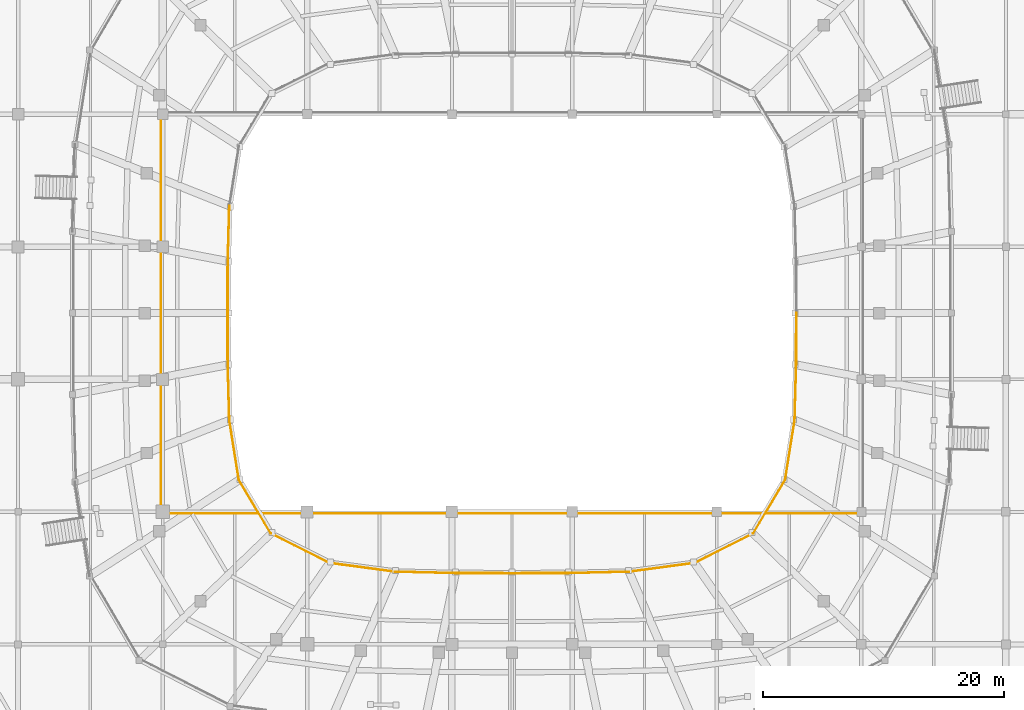
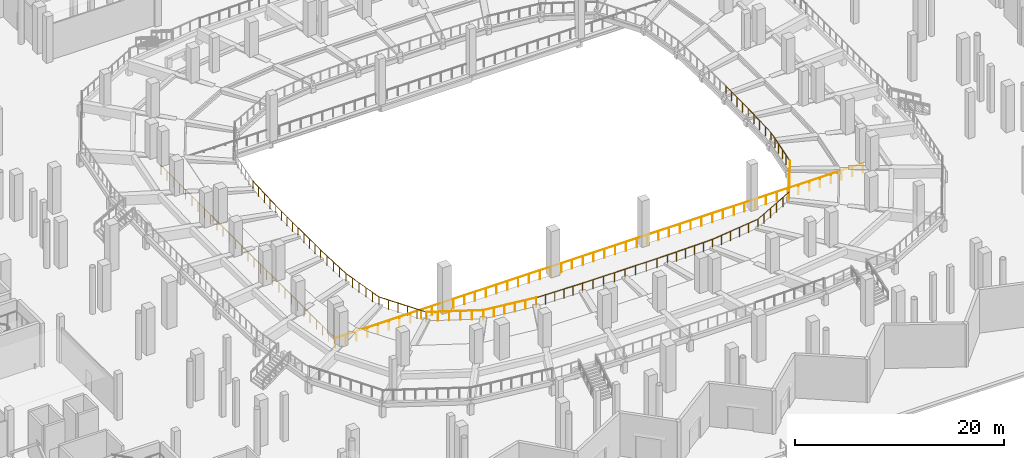
# One storey, part 102 of 120: 20 railings.
"""IFC4 building model written with IfcOpenShell, lengths in metres."""

from ifc_helpers import new_model, si_unit, direction, frame, origin, origin_2d, place, context, subcontext, project, spatial, circle, extrude, material, type_object, element, save


model = new_model("IFC4")

# Units and contexts
model_context = context("Model", 3, precision=1e-05, world=origin(), true_north=direction((0.0, 1.0)))
body_context = subcontext(model_context, "Body", "Model", "MODEL_VIEW")
ifc_project = project(units=[si_unit("LENGTHUNIT", "METRE"), si_unit("AREAUNIT", "SQUARE_METRE"), si_unit("VOLUMEUNIT", "CUBIC_METRE"), si_unit("PLANEANGLEUNIT", "RADIAN"), si_unit("MASSUNIT", "GRAM", prefix="KILO")], contexts=[model_context])

# Site, building, storey
site_placement = place(None, origin())
site = spatial("IfcSite", under=ifc_project, at=site_placement, CompositionType="ELEMENT")
building_placement = place(site_placement, origin())
building = spatial("IfcBuilding", under=site, at=building_placement, Name="Luwafu Chhajja Arena", CompositionType="ELEMENT")
storey_placement = place(building_placement, origin())
storey = spatial("IfcBuildingStorey", under=building, at=storey_placement, Name="L00", CompositionType="ELEMENT", Elevation=0.0)

# Railings
ifc_material = material(Name="Stainless steel balustrade", Category="steel")
railing_type = type_object("IfcRailingType", Name="Seating Bowl Sightline Barrier 1100", PredefinedType="BALUSTRADE", material=ifc_material)
railing_1_placement = place(storey_placement, frame((69.85009765625, 32.85009765625, 0.0)))
element("IfcRailing", 1, at=railing_1_placement, inside=storey, type_object=railing_type, Name="L00 L00 Bowl Apron Guard 0013", PredefinedType="BALUSTRADE", context=body_context, shape_type="SweptSolid", body=[
    extrude(circle(Radius=0.02392578125, at=origin_2d()), frame((0.0, 0.0, 1.09619140625), z_axis=(1.0, 0.0, 0.0), x_axis=(0.0, 1.0, 0.0)), (0.0, 0.0, 1.0), 58.2998046875),
    extrude(circle(Radius=0.02099609375, at=origin_2d()), origin(), (0.0, 0.0, 1.0), 1.072021484375),
    extrude(circle(Radius=0.02099609375, at=origin_2d()), frame((1.189697265625, 0.0, 0.0)), (0.0, 0.0, 1.0), 1.072021484375),
    extrude(circle(Radius=0.02099609375, at=origin_2d()), frame((2.379638671875, 0.0, 0.0)), (0.0, 0.0, 1.0), 1.072021484375),
    extrude(circle(Radius=0.02099609375, at=origin_2d()), frame((3.5693359375, 0.0, 0.0)), (0.0, 0.0, 1.0), 1.072021484375),
    extrude(circle(Radius=0.02099609375, at=origin_2d()), frame((4.75927734375, 0.0, 0.0)), (0.0, 0.0, 1.0), 1.072021484375),
    extrude(circle(Radius=0.02099609375, at=origin_2d()), frame((5.948974609375, 0.0, 0.0)), (0.0, 0.0, 1.0), 1.072021484375),
    extrude(circle(Radius=0.02099609375, at=origin_2d()), frame((7.138671875, 0.0, 0.0)), (0.0, 0.0, 1.0), 1.072021484375),
    extrude(circle(Radius=0.02099609375, at=origin_2d()), frame((8.32861328125, 0.0, 0.0)), (0.0, 0.0, 1.0), 1.072021484375),
    extrude(circle(Radius=0.02099609375, at=origin_2d()), frame((9.518310546875, 0.0, 0.0)), (0.0, 0.0, 1.0), 1.072021484375),
    extrude(circle(Radius=0.02099609375, at=origin_2d()), frame((10.7080078125, 0.0, 0.0)), (0.0, 0.0, 1.0), 1.072021484375),
    extrude(circle(Radius=0.02099609375, at=origin_2d()), frame((11.89794921875, 0.0, 0.0)), (0.0, 0.0, 1.0), 1.072021484375),
    extrude(circle(Radius=0.02099609375, at=origin_2d()), frame((13.087646484375, 0.0, 0.0)), (0.0, 0.0, 1.0), 1.072021484375),
    extrude(circle(Radius=0.02099609375, at=origin_2d()), frame((14.277587890625, 0.0, 0.0)), (0.0, 0.0, 1.0), 1.072021484375),
    extrude(circle(Radius=0.02099609375, at=origin_2d()), frame((15.46728515625, 0.0, 0.0)), (0.0, 0.0, 1.0), 1.072021484375),
    extrude(circle(Radius=0.02099609375, at=origin_2d()), frame((16.656982421875, 0.0, 0.0)), (0.0, 0.0, 1.0), 1.072021484375),
    extrude(circle(Radius=0.02099609375, at=origin_2d()), frame((17.846923828125, 0.0, 0.0)), (0.0, 0.0, 1.0), 1.072021484375),
    extrude(circle(Radius=0.02099609375, at=origin_2d()), frame((19.03662109375, 0.0, 0.0)), (0.0, 0.0, 1.0), 1.072021484375),
    extrude(circle(Radius=0.02099609375, at=origin_2d()), frame((20.2265625, 0.0, 0.0)), (0.0, 0.0, 1.0), 1.072021484375),
    extrude(circle(Radius=0.02099609375, at=origin_2d()), frame((21.416259765625, 0.0, 0.0)), (0.0, 0.0, 1.0), 1.072021484375),
    extrude(circle(Radius=0.02099609375, at=origin_2d()), frame((22.60595703125, 0.0, 0.0)), (0.0, 0.0, 1.0), 1.072021484375),
    extrude(circle(Radius=0.02099609375, at=origin_2d()), frame((23.7958984375, 0.0, 0.0)), (0.0, 0.0, 1.0), 1.072021484375),
    extrude(circle(Radius=0.02099609375, at=origin_2d()), frame((24.985595703125, 0.0, 0.0)), (0.0, 0.0, 1.0), 1.072021484375),
    extrude(circle(Radius=0.02099609375, at=origin_2d()), frame((26.175537109375, 0.0, 0.0)), (0.0, 0.0, 1.0), 1.072021484375),
    extrude(circle(Radius=0.02099609375, at=origin_2d()), frame((27.365234375, 0.0, 0.0)), (0.0, 0.0, 1.0), 1.072021484375),
    extrude(circle(Radius=0.02099609375, at=origin_2d()), frame((28.554931640625, 0.0, 0.0)), (0.0, 0.0, 1.0), 1.072021484375),
    extrude(circle(Radius=0.02099609375, at=origin_2d()), frame((29.744873046875, 0.0, 0.0)), (0.0, 0.0, 1.0), 1.072021484375),
    extrude(circle(Radius=0.02099609375, at=origin_2d()), frame((30.9345703125, 0.0, 0.0)), (0.0, 0.0, 1.0), 1.072021484375),
    extrude(circle(Radius=0.02099609375, at=origin_2d()), frame((32.124267578125, 0.0, 0.0)), (0.0, 0.0, 1.0), 1.072021484375),
    extrude(circle(Radius=0.02099609375, at=origin_2d()), frame((33.314208984375, 0.0, 0.0)), (0.0, 0.0, 1.0), 1.072021484375),
    extrude(circle(Radius=0.02099609375, at=origin_2d()), frame((34.50390625, 0.0, 0.0)), (0.0, 0.0, 1.0), 1.072021484375),
    extrude(circle(Radius=0.02099609375, at=origin_2d()), frame((35.69384765625, 0.0, 0.0)), (0.0, 0.0, 1.0), 1.072021484375),
    extrude(circle(Radius=0.02099609375, at=origin_2d()), frame((36.883544921875, 0.0, 0.0)), (0.0, 0.0, 1.0), 1.072021484375),
    extrude(circle(Radius=0.02099609375, at=origin_2d()), frame((38.0732421875, 0.0, 0.0)), (0.0, 0.0, 1.0), 1.072021484375),
    extrude(circle(Radius=0.02099609375, at=origin_2d()), frame((39.26318359375, 0.0, 0.0)), (0.0, 0.0, 1.0), 1.072021484375),
    extrude(circle(Radius=0.02099609375, at=origin_2d()), frame((40.452880859375, 0.0, 0.0)), (0.0, 0.0, 1.0), 1.072021484375),
    extrude(circle(Radius=0.02099609375, at=origin_2d()), frame((41.642822265625, 0.0, 0.0)), (0.0, 0.0, 1.0), 1.072021484375),
    extrude(circle(Radius=0.02099609375, at=origin_2d()), frame((42.83251953125, 0.0, 0.0)), (0.0, 0.0, 1.0), 1.072021484375),
    extrude(circle(Radius=0.02099609375, at=origin_2d()), frame((44.022216796875, 0.0, 0.0)), (0.0, 0.0, 1.0), 1.072021484375),
    extrude(circle(Radius=0.02099609375, at=origin_2d()), frame((45.212158203125, 0.0, 0.0)), (0.0, 0.0, 1.0), 1.072021484375),
    extrude(circle(Radius=0.02099609375, at=origin_2d()), frame((46.40185546875, 0.0, 0.0)), (0.0, 0.0, 1.0), 1.072021484375),
    extrude(circle(Radius=0.02099609375, at=origin_2d()), frame((47.591796875, 0.0, 0.0)), (0.0, 0.0, 1.0), 1.072021484375),
    extrude(circle(Radius=0.02099609375, at=origin_2d()), frame((48.781494140625, 0.0, 0.0)), (0.0, 0.0, 1.0), 1.072021484375),
    extrude(circle(Radius=0.02099609375, at=origin_2d()), frame((49.97119140625, 0.0, 0.0)), (0.0, 0.0, 1.0), 1.072021484375),
    extrude(circle(Radius=0.02099609375, at=origin_2d()), frame((51.1611328125, 0.0, 0.0)), (0.0, 0.0, 1.0), 1.072021484375),
    extrude(circle(Radius=0.02099609375, at=origin_2d()), frame((52.350830078125, 0.0, 0.0)), (0.0, 0.0, 1.0), 1.072021484375),
    extrude(circle(Radius=0.02099609375, at=origin_2d()), frame((53.54052734375, 0.0, 0.0)), (0.0, 0.0, 1.0), 1.072021484375),
    extrude(circle(Radius=0.02099609375, at=origin_2d()), frame((54.73046875, 0.0, 0.0)), (0.0, 0.0, 1.0), 1.072021484375),
    extrude(circle(Radius=0.02099609375, at=origin_2d()), frame((55.920166015625, 0.0, 0.0)), (0.0, 0.0, 1.0), 1.072021484375),
    extrude(circle(Radius=0.02099609375, at=origin_2d()), frame((57.110107421875, 0.0, 0.0)), (0.0, 0.0, 1.0), 1.072021484375),
    extrude(circle(Radius=0.02099609375, at=origin_2d()), frame((58.2998046875, 0.0, 0.0)), (0.0, 0.0, 1.0), 1.072021484375),
])
railing_2_placement = place(storey_placement, frame((69.85009765625, 66.14990234375, 0.0)))
element("IfcRailing", 2, at=railing_2_placement, inside=storey, type_object=railing_type, Name="L00 L00 Bowl Apron Guard 0016", PredefinedType="BALUSTRADE", context=body_context, shape_type="SweptSolid", body=[
    extrude(circle(Radius=0.02392578125, at=origin_2d()), frame((0.0, 0.0, 1.09619140625), z_axis=(0.0, -1.0, 0.0), x_axis=(1.0, 0.0, 0.0)), (0.0, 0.0, 1.0), 33.2998046875),
    extrude(circle(Radius=0.02099609375, at=origin_2d()), origin(), (0.0, 0.0, 1.0), 1.072021484375),
    extrude(circle(Radius=0.02099609375, at=origin_2d()), frame((0.0, -1.189208984375, 0.0)), (0.0, 0.0, 1.0), 1.072021484375),
    extrude(circle(Radius=0.02099609375, at=origin_2d()), frame((0.0, -2.378662109375, 0.0)), (0.0, 0.0, 1.0), 1.072021484375),
    extrude(circle(Radius=0.02099609375, at=origin_2d()), frame((0.0, -3.56787109375, 0.0)), (0.0, 0.0, 1.0), 1.072021484375),
    extrude(circle(Radius=0.02099609375, at=origin_2d()), frame((0.0, -4.757080078125, 0.0)), (0.0, 0.0, 1.0), 1.072021484375),
    extrude(circle(Radius=0.02099609375, at=origin_2d()), frame((0.0, -5.9462890625, 0.0)), (0.0, 0.0, 1.0), 1.072021484375),
    extrude(circle(Radius=0.02099609375, at=origin_2d()), frame((0.0, -7.1357421875, 0.0)), (0.0, 0.0, 1.0), 1.072021484375),
    extrude(circle(Radius=0.02099609375, at=origin_2d()), frame((0.0, -8.324951171875, 0.0)), (0.0, 0.0, 1.0), 1.072021484375),
    extrude(circle(Radius=0.02099609375, at=origin_2d()), frame((0.0, -9.51416015625, 0.0)), (0.0, 0.0, 1.0), 1.072021484375),
    extrude(circle(Radius=0.02099609375, at=origin_2d()), frame((0.0, -10.70361328125, 0.0)), (0.0, 0.0, 1.0), 1.072021484375),
    extrude(circle(Radius=0.02099609375, at=origin_2d()), frame((0.0, -11.892822265625, 0.0)), (0.0, 0.0, 1.0), 1.072021484375),
    extrude(circle(Radius=0.02099609375, at=origin_2d()), frame((0.0, -13.08203125, 0.0)), (0.0, 0.0, 1.0), 1.072021484375),
    extrude(circle(Radius=0.02099609375, at=origin_2d()), frame((0.0, -14.271240234375, 0.0)), (0.0, 0.0, 1.0), 1.072021484375),
    extrude(circle(Radius=0.02099609375, at=origin_2d()), frame((0.0, -15.460693359375, 0.0)), (0.0, 0.0, 1.0), 1.072021484375),
    extrude(circle(Radius=0.02099609375, at=origin_2d()), frame((0.0, -16.64990234375, 0.0)), (0.0, 0.0, 1.0), 1.072021484375),
    extrude(circle(Radius=0.02099609375, at=origin_2d()), frame((0.0, -17.839111328125, 0.0)), (0.0, 0.0, 1.0), 1.072021484375),
    extrude(circle(Radius=0.02099609375, at=origin_2d()), frame((0.0, -19.028564453125, 0.0)), (0.0, 0.0, 1.0), 1.072021484375),
    extrude(circle(Radius=0.02099609375, at=origin_2d()), frame((0.0, -20.2177734375, 0.0)), (0.0, 0.0, 1.0), 1.072021484375),
    extrude(circle(Radius=0.02099609375, at=origin_2d()), frame((0.0, -21.406982421875, 0.0)), (0.0, 0.0, 1.0), 1.072021484375),
    extrude(circle(Radius=0.02099609375, at=origin_2d()), frame((0.0, -22.59619140625, 0.0)), (0.0, 0.0, 1.0), 1.072021484375),
    extrude(circle(Radius=0.02099609375, at=origin_2d()), frame((0.0, -23.78564453125, 0.0)), (0.0, 0.0, 1.0), 1.072021484375),
    extrude(circle(Radius=0.02099609375, at=origin_2d()), frame((0.0, -24.974853515625, 0.0)), (0.0, 0.0, 1.0), 1.072021484375),
    extrude(circle(Radius=0.02099609375, at=origin_2d()), frame((0.0, -26.1640625, 0.0)), (0.0, 0.0, 1.0), 1.072021484375),
    extrude(circle(Radius=0.02099609375, at=origin_2d()), frame((0.0, -27.353515625, 0.0)), (0.0, 0.0, 1.0), 1.072021484375),
    extrude(circle(Radius=0.02099609375, at=origin_2d()), frame((0.0, -28.542724609375, 0.0)), (0.0, 0.0, 1.0), 1.072021484375),
    extrude(circle(Radius=0.02099609375, at=origin_2d()), frame((0.0, -29.73193359375, 0.0)), (0.0, 0.0, 1.0), 1.072021484375),
    extrude(circle(Radius=0.02099609375, at=origin_2d()), frame((0.0, -30.921142578125, 0.0)), (0.0, 0.0, 1.0), 1.072021484375),
    extrude(circle(Radius=0.02099609375, at=origin_2d()), frame((0.0, -32.110595703125, 0.0)), (0.0, 0.0, 1.0), 1.072021484375),
    extrude(circle(Radius=0.02099609375, at=origin_2d()), frame((0.0, -33.2998046875, 0.0)), (0.0, 0.0, 1.0), 1.072021484375),
])
railing_3_placement = place(storey_placement, frame((75.53662109375, 58.395263671875, 0.85009765625)))
element("IfcRailing", 3, at=railing_3_placement, inside=storey, type_object=railing_type, Name="L00 Lower Tier Front Barrier 0098", PredefinedType="BALUSTRADE", context=body_context, shape_type="SweptSolid", body=[
    extrude(circle(Radius=0.02392578125, at=origin_2d()), frame((0.0, 0.0, 1.09619140625), z_axis=(-0.028278055892, -0.999600095816, 0.0), x_axis=(0.999600095816, -0.028278055892, 0.0)), (0.0, 0.0, 1.0), 4.601806640625),
    extrude(circle(Radius=0.02099609375, at=origin_2d()), origin(), (0.0, 0.0, 1.0), 1.072021484375),
    extrude(circle(Radius=0.02099609375, at=origin_2d()), frame((-0.032470703125, -1.14990234375, 0.0)), (0.0, 0.0, 1.0), 1.072021484375),
    extrude(circle(Radius=0.02099609375, at=origin_2d()), frame((-0.06494140625, -2.2998046875, 0.0)), (0.0, 0.0, 1.0), 1.072021484375),
    extrude(circle(Radius=0.02099609375, at=origin_2d()), frame((-0.09765625, -3.449951171875, 0.0)), (0.0, 0.0, 1.0), 1.072021484375),
    extrude(circle(Radius=0.02099609375, at=origin_2d()), frame((-0.130126953125, -4.599853515625, 0.0)), (0.0, 0.0, 1.0), 1.072021484375),
])
railing_4_placement = place(storey_placement, frame((75.406494140625, 53.79541015625, 0.85009765625)))
element("IfcRailing", 4, at=railing_4_placement, inside=storey, type_object=railing_type, Name="L00 Lower Tier Front Barrier 0100", PredefinedType="BALUSTRADE", context=body_context, shape_type="SweptSolid", body=[
    extrude(circle(Radius=0.02392578125, at=origin_2d()), frame((0.0, 0.0, 1.09619140625), z_axis=(-0.001534612266, -0.999998822482, 0.0), x_axis=(0.999998822482, -0.001534612266, 0.0)), (0.0, 0.0, 1.0), 4.29541015625),
    extrude(circle(Radius=0.02099609375, at=origin_2d()), origin(), (0.0, 0.0, 1.0), 1.072021484375),
    extrude(circle(Radius=0.02099609375, at=origin_2d()), frame((-0.001708984375, -1.07373046875, 0.0)), (0.0, 0.0, 1.0), 1.072021484375),
    extrude(circle(Radius=0.02099609375, at=origin_2d()), frame((-0.00341796875, -2.147705078125, 0.0)), (0.0, 0.0, 1.0), 1.072021484375),
    extrude(circle(Radius=0.02099609375, at=origin_2d()), frame((-0.0048828125, -3.2216796875, 0.0)), (0.0, 0.0, 1.0), 1.072021484375),
    extrude(circle(Radius=0.02099609375, at=origin_2d()), frame((-0.006591796875, -4.29541015625, 0.0)), (0.0, 0.0, 1.0), 1.072021484375),
])
railing_5_placement = place(storey_placement, frame((75.39990234375, 49.5, 0.85009765625)))
element("IfcRailing", 5, at=railing_5_placement, inside=storey, type_object=railing_type, Name="L00 Lower Tier Front Barrier 0104", PredefinedType="BALUSTRADE", context=body_context, shape_type="SweptSolid", body=[
    extrude(circle(Radius=0.02392578125, at=origin_2d()), frame((0.0, 0.0, 1.09619140625), z_axis=(0.001534612266, -0.999998822482, 0.0), x_axis=(0.999998822482, 0.001534612266, 0.0)), (0.0, 0.0, 1.0), 4.29541015625),
    extrude(circle(Radius=0.02099609375, at=origin_2d()), origin(), (0.0, 0.0, 1.0), 1.072021484375),
    extrude(circle(Radius=0.02099609375, at=origin_2d()), frame((0.001708984375, -1.07373046875, 0.0)), (0.0, 0.0, 1.0), 1.072021484375),
    extrude(circle(Radius=0.02099609375, at=origin_2d()), frame((0.00341796875, -2.147705078125, 0.0)), (0.0, 0.0, 1.0), 1.072021484375),
    extrude(circle(Radius=0.02099609375, at=origin_2d()), frame((0.0048828125, -3.2216796875, 0.0)), (0.0, 0.0, 1.0), 1.072021484375),
    extrude(circle(Radius=0.02099609375, at=origin_2d()), frame((0.006591796875, -4.29541015625, 0.0)), (0.0, 0.0, 1.0), 1.072021484375),
])
railing_6_placement = place(storey_placement, frame((75.406494140625, 45.20458984375, 0.85009765625)))
element("IfcRailing", 6, at=railing_6_placement, inside=storey, type_object=railing_type, Name="L00 Lower Tier Front Barrier 0108", PredefinedType="BALUSTRADE", context=body_context, shape_type="SweptSolid", body=[
    extrude(circle(Radius=0.02392578125, at=origin_2d()), frame((0.0, 0.0, 1.09619140625), z_axis=(0.028278055892, -0.999600095816, 0.0), x_axis=(0.999600095816, 0.028278055892, 0.0)), (0.0, 0.0, 1.0), 4.601806640625),
    extrude(circle(Radius=0.02099609375, at=origin_2d()), origin(), (0.0, 0.0, 1.0), 1.072021484375),
    extrude(circle(Radius=0.02099609375, at=origin_2d()), frame((0.032470703125, -1.14990234375, 0.0)), (0.0, 0.0, 1.0), 1.072021484375),
    extrude(circle(Radius=0.02099609375, at=origin_2d()), frame((0.06494140625, -2.2998046875, 0.0)), (0.0, 0.0, 1.0), 1.072021484375),
    extrude(circle(Radius=0.02099609375, at=origin_2d()), frame((0.09765625, -3.449951171875, 0.0)), (0.0, 0.0, 1.0), 1.072021484375),
    extrude(circle(Radius=0.02099609375, at=origin_2d()), frame((0.130126953125, -4.599853515625, 0.0)), (0.0, 0.0, 1.0), 1.072021484375),
])
railing_7_placement = place(storey_placement, frame((75.53662109375, 40.604736328125, 0.85009765625)))
element("IfcRailing", 7, at=railing_7_placement, inside=storey, type_object=railing_type, Name="L00 Lower Tier Front Barrier 0112", PredefinedType="BALUSTRADE", context=body_context, shape_type="SweptSolid", body=[
    extrude(circle(Radius=0.02392578125, at=origin_2d()), frame((0.0, 0.0, 1.09619140625), z_axis=(0.157596868807, -0.987503532623, 0.0), x_axis=(0.987503532623, 0.157596868807, 0.0)), (0.0, 0.0, 1.0), 5.03173828125),
    extrude(circle(Radius=0.02099609375, at=origin_2d()), origin(), (0.0, 0.0, 1.0), 1.072021484375),
    extrude(circle(Radius=0.02099609375, at=origin_2d()), frame((0.15869140625, -0.99365234375, 0.0)), (0.0, 0.0, 1.0), 1.072021484375),
    extrude(circle(Radius=0.02099609375, at=origin_2d()), frame((0.317138671875, -1.987548828125, 0.0)), (0.0, 0.0, 1.0), 1.072021484375),
    extrude(circle(Radius=0.02099609375, at=origin_2d()), frame((0.475830078125, -2.981201171875, 0.0)), (0.0, 0.0, 1.0), 1.072021484375),
    extrude(circle(Radius=0.02099609375, at=origin_2d()), frame((0.63427734375, -3.97509765625, 0.0)), (0.0, 0.0, 1.0), 1.072021484375),
    extrude(circle(Radius=0.02099609375, at=origin_2d()), frame((0.79296875, -4.96875, 0.0)), (0.0, 0.0, 1.0), 1.072021484375),
])
railing_8_placement = place(storey_placement, frame((76.32958984375, 35.635986328125, 0.85009765625)))
element("IfcRailing", 8, at=railing_8_placement, inside=storey, type_object=railing_type, Name="L00 Lower Tier Front Barrier 0114", PredefinedType="BALUSTRADE", context=body_context, shape_type="SweptSolid", body=[
    extrude(circle(Radius=0.02392578125, at=origin_2d()), frame((0.0, 0.0, 1.09619140625), z_axis=(0.513207192102, -0.858264748183, 0.0), x_axis=(0.858264748183, 0.513207192102, 0.0)), (0.0, 0.0, 1.0), 5.184814453125),
    extrude(circle(Radius=0.02099609375, at=origin_2d()), origin(), (0.0, 0.0, 1.0), 1.072021484375),
    extrude(circle(Radius=0.02099609375, at=origin_2d()), frame((0.5322265625, -0.889892578125, 0.0)), (0.0, 0.0, 1.0), 1.072021484375),
    extrude(circle(Radius=0.02099609375, at=origin_2d()), frame((1.064453125, -1.780029296875, 0.0)), (0.0, 0.0, 1.0), 1.072021484375),
    extrude(circle(Radius=0.02099609375, at=origin_2d()), frame((1.596435546875, -2.669921875, 0.0)), (0.0, 0.0, 1.0), 1.072021484375),
    extrude(circle(Radius=0.02099609375, at=origin_2d()), frame((2.128662109375, -3.56005859375, 0.0)), (0.0, 0.0, 1.0), 1.072021484375),
    extrude(circle(Radius=0.02099609375, at=origin_2d()), frame((2.660888671875, -4.449951171875, 0.0)), (0.0, 0.0, 1.0), 1.072021484375),
])
railing_9_placement = place(storey_placement, frame((78.990478515625, 31.18603515625, 0.85009765625)))
element("IfcRailing", 9, at=railing_9_placement, inside=storey, type_object=railing_type, Name="L00 Lower Tier Front Barrier 0118", PredefinedType="BALUSTRADE", context=body_context, shape_type="SweptSolid", body=[
    extrude(circle(Radius=0.02392578125, at=origin_2d()), frame((0.0, 0.0, 1.09619140625), z_axis=(0.894121668342, -0.447824119717, 0.0), x_axis=(0.447824119717, 0.894121668342, 0.0)), (0.0, 0.0, 1.0), 5.4375),
    extrude(circle(Radius=0.02099609375, at=origin_2d()), origin(), (0.0, 0.0, 1.0), 1.072021484375),
    extrude(circle(Radius=0.02099609375, at=origin_2d()), frame((0.972412109375, -0.487060546875, 0.0)), (0.0, 0.0, 1.0), 1.072021484375),
    extrude(circle(Radius=0.02099609375, at=origin_2d()), frame((1.94482421875, -0.97412109375, 0.0)), (0.0, 0.0, 1.0), 1.072021484375),
    extrude(circle(Radius=0.02099609375, at=origin_2d()), frame((2.9169921875, -1.4609375, 0.0)), (0.0, 0.0, 1.0), 1.072021484375),
    extrude(circle(Radius=0.02099609375, at=origin_2d()), frame((3.889404296875, -1.947998046875, 0.0)), (0.0, 0.0, 1.0), 1.072021484375),
    extrude(circle(Radius=0.02099609375, at=origin_2d()), frame((4.86181640625, -2.43505859375, 0.0)), (0.0, 0.0, 1.0), 1.072021484375),
])
railing_10_placement = place(storey_placement, frame((83.852294921875, 28.7509765625, 0.85009765625)))
element("IfcRailing", 10, at=railing_10_placement, inside=storey, type_object=railing_type, Name="L00 Lower Tier Front Barrier 0122", PredefinedType="BALUSTRADE", context=body_context, shape_type="SweptSolid", body=[
    extrude(circle(Radius=0.02392578125, at=origin_2d()), frame((0.0, 0.0, 1.09619140625), z_axis=(0.991174094969, -0.132566637814, 0.0), x_axis=(0.132566637814, 0.991174094969, 0.0)), (0.0, 0.0, 1.0), 5.47705078125),
    extrude(circle(Radius=0.02099609375, at=origin_2d()), origin(), (0.0, 0.0, 1.0), 1.072021484375),
    extrude(circle(Radius=0.02099609375, at=origin_2d()), frame((1.085693359375, -0.145263671875, 0.0)), (0.0, 0.0, 1.0), 1.072021484375),
    extrude(circle(Radius=0.02099609375, at=origin_2d()), frame((2.17138671875, -0.29052734375, 0.0)), (0.0, 0.0, 1.0), 1.072021484375),
    extrude(circle(Radius=0.02099609375, at=origin_2d()), frame((3.25732421875, -0.435546875, 0.0)), (0.0, 0.0, 1.0), 1.072021484375),
    extrude(circle(Radius=0.02099609375, at=origin_2d()), frame((4.343017578125, -0.580810546875, 0.0)), (0.0, 0.0, 1.0), 1.072021484375),
    extrude(circle(Radius=0.02099609375, at=origin_2d()), frame((5.4287109375, -0.72607421875, 0.0)), (0.0, 0.0, 1.0), 1.072021484375),
])
railing_11_placement = place(storey_placement, frame((89.281005859375, 28.02490234375, 0.85009765625)))
element("IfcRailing", 11, at=railing_11_placement, inside=storey, type_object=railing_type, Name="L00 Lower Tier Front Barrier 0126", PredefinedType="BALUSTRADE", context=body_context, shape_type="SweptSolid", body=[
    extrude(circle(Radius=0.02392578125, at=origin_2d()), frame((0.0, 0.0, 1.09619140625), z_axis=(0.999719144637, -0.023698773078, 0.0), x_axis=(0.023698773078, 0.999719144637, 0.0)), (0.0, 0.0, 1.0), 5.02734375),
    extrude(circle(Radius=0.02099609375, at=origin_2d()), origin(), (0.0, 0.0, 1.0), 1.072021484375),
    extrude(circle(Radius=0.02099609375, at=origin_2d()), frame((1.005126953125, -0.02392578125, 0.0)), (0.0, 0.0, 1.0), 1.072021484375),
    extrude(circle(Radius=0.02099609375, at=origin_2d()), frame((2.01025390625, -0.047607421875, 0.0)), (0.0, 0.0, 1.0), 1.072021484375),
    extrude(circle(Radius=0.02099609375, at=origin_2d()), frame((3.015625, -0.071533203125, 0.0)), (0.0, 0.0, 1.0), 1.072021484375),
    extrude(circle(Radius=0.02099609375, at=origin_2d()), frame((4.020751953125, -0.09521484375, 0.0)), (0.0, 0.0, 1.0), 1.072021484375),
    extrude(circle(Radius=0.02099609375, at=origin_2d()), frame((5.02587890625, -0.119140625, 0.0)), (0.0, 0.0, 1.0), 1.072021484375),
])
railing_12_placement = place(storey_placement, frame((94.306884765625, 27.90576171875, 0.85009765625)))
element("IfcRailing", 12, at=railing_12_placement, inside=storey, type_object=railing_type, Name="L00 Lower Tier Front Barrier 0128", PredefinedType="BALUSTRADE", context=body_context, shape_type="SweptSolid", body=[
    extrude(circle(Radius=0.02392578125, at=origin_2d()), frame((0.0, 0.0, 1.09619140625), z_axis=(0.999999220619, -0.001248503423, 0.0), x_axis=(0.001248503423, 0.999999220619, 0.0)), (0.0, 0.0, 1.0), 4.693115234375),
    extrude(circle(Radius=0.02099609375, at=origin_2d()), origin(), (0.0, 0.0, 1.0), 1.072021484375),
    extrude(circle(Radius=0.02099609375, at=origin_2d()), frame((1.17333984375, -0.00146484375, 0.0)), (0.0, 0.0, 1.0), 1.072021484375),
    extrude(circle(Radius=0.02099609375, at=origin_2d()), frame((2.3466796875, -0.0029296875, 0.0)), (0.0, 0.0, 1.0), 1.072021484375),
    extrude(circle(Radius=0.02099609375, at=origin_2d()), frame((3.519775390625, -0.00439453125, 0.0)), (0.0, 0.0, 1.0), 1.072021484375),
    extrude(circle(Radius=0.02099609375, at=origin_2d()), frame((4.693115234375, -0.005859375, 0.0)), (0.0, 0.0, 1.0), 1.072021484375),
])
railing_13_placement = place(storey_placement, frame((99.0, 27.89990234375, 0.85009765625)))
element("IfcRailing", 13, at=railing_13_placement, inside=storey, type_object=railing_type, Name="L00 Lower Tier Front Barrier 0132", PredefinedType="BALUSTRADE", context=body_context, shape_type="SweptSolid", body=[
    extrude(circle(Radius=0.02392578125, at=origin_2d()), frame((0.0, 0.0, 1.09619140625), z_axis=(0.999999220619, 0.001248503423, 0.0), x_axis=(-0.001248503423, 0.999999220619, 0.0)), (0.0, 0.0, 1.0), 4.693115234375),
    extrude(circle(Radius=0.02099609375, at=origin_2d()), origin(), (0.0, 0.0, 1.0), 1.072021484375),
    extrude(circle(Radius=0.02099609375, at=origin_2d()), frame((1.17333984375, 0.00146484375, 0.0)), (0.0, 0.0, 1.0), 1.072021484375),
    extrude(circle(Radius=0.02099609375, at=origin_2d()), frame((2.3466796875, 0.0029296875, 0.0)), (0.0, 0.0, 1.0), 1.072021484375),
    extrude(circle(Radius=0.02099609375, at=origin_2d()), frame((3.519775390625, 0.00439453125, 0.0)), (0.0, 0.0, 1.0), 1.072021484375),
    extrude(circle(Radius=0.02099609375, at=origin_2d()), frame((4.693115234375, 0.005859375, 0.0)), (0.0, 0.0, 1.0), 1.072021484375),
])
railing_14_placement = place(storey_placement, frame((103.693115234375, 27.90576171875, 0.85009765625)))
element("IfcRailing", 14, at=railing_14_placement, inside=storey, type_object=railing_type, Name="L00 Lower Tier Front Barrier 0136", PredefinedType="BALUSTRADE", context=body_context, shape_type="SweptSolid", body=[
    extrude(circle(Radius=0.02392578125, at=origin_2d()), frame((0.0, 0.0, 1.09619140625), z_axis=(0.999719144637, 0.023698773078, 0.0), x_axis=(-0.023698773078, 0.999719144637, 0.0)), (0.0, 0.0, 1.0), 5.02734375),
    extrude(circle(Radius=0.02099609375, at=origin_2d()), origin(), (0.0, 0.0, 1.0), 1.072021484375),
    extrude(circle(Radius=0.02099609375, at=origin_2d()), frame((1.005126953125, 0.02392578125, 0.0)), (0.0, 0.0, 1.0), 1.072021484375),
    extrude(circle(Radius=0.02099609375, at=origin_2d()), frame((2.01025390625, 0.047607421875, 0.0)), (0.0, 0.0, 1.0), 1.072021484375),
    extrude(circle(Radius=0.02099609375, at=origin_2d()), frame((3.015625, 0.071533203125, 0.0)), (0.0, 0.0, 1.0), 1.072021484375),
    extrude(circle(Radius=0.02099609375, at=origin_2d()), frame((4.020751953125, 0.09521484375, 0.0)), (0.0, 0.0, 1.0), 1.072021484375),
    extrude(circle(Radius=0.02099609375, at=origin_2d()), frame((5.02587890625, 0.119140625, 0.0)), (0.0, 0.0, 1.0), 1.072021484375),
])
railing_15_placement = place(storey_placement, frame((108.718994140625, 28.02490234375, 0.85009765625)))
element("IfcRailing", 15, at=railing_15_placement, inside=storey, type_object=railing_type, Name="L00 Lower Tier Front Barrier 0140", PredefinedType="BALUSTRADE", context=body_context, shape_type="SweptSolid", body=[
    extrude(circle(Radius=0.02392578125, at=origin_2d()), frame((0.0, 0.0, 1.09619140625), z_axis=(0.991174094969, 0.132566637814, 0.0), x_axis=(-0.132566637814, 0.991174094969, 0.0)), (0.0, 0.0, 1.0), 5.47705078125),
    extrude(circle(Radius=0.02099609375, at=origin_2d()), origin(), (0.0, 0.0, 1.0), 1.072021484375),
    extrude(circle(Radius=0.02099609375, at=origin_2d()), frame((1.085693359375, 0.145263671875, 0.0)), (0.0, 0.0, 1.0), 1.072021484375),
    extrude(circle(Radius=0.02099609375, at=origin_2d()), frame((2.17138671875, 0.29052734375, 0.0)), (0.0, 0.0, 1.0), 1.072021484375),
    extrude(circle(Radius=0.02099609375, at=origin_2d()), frame((3.25732421875, 0.435546875, 0.0)), (0.0, 0.0, 1.0), 1.072021484375),
    extrude(circle(Radius=0.02099609375, at=origin_2d()), frame((4.343017578125, 0.580810546875, 0.0)), (0.0, 0.0, 1.0), 1.072021484375),
    extrude(circle(Radius=0.02099609375, at=origin_2d()), frame((5.4287109375, 0.72607421875, 0.0)), (0.0, 0.0, 1.0), 1.072021484375),
])
railing_16_placement = place(storey_placement, frame((114.147705078125, 28.7509765625, 0.85009765625)))
element("IfcRailing", 16, at=railing_16_placement, inside=storey, type_object=railing_type, Name="L00 Lower Tier Front Barrier 0142", PredefinedType="BALUSTRADE", context=body_context, shape_type="SweptSolid", body=[
    extrude(circle(Radius=0.02392578125, at=origin_2d()), frame((0.0, 0.0, 1.09619140625), z_axis=(0.894121668342, 0.447824119717, 0.0), x_axis=(-0.447824119717, 0.894121668342, 0.0)), (0.0, 0.0, 1.0), 5.4375),
    extrude(circle(Radius=0.02099609375, at=origin_2d()), origin(), (0.0, 0.0, 1.0), 1.072021484375),
    extrude(circle(Radius=0.02099609375, at=origin_2d()), frame((0.972412109375, 0.487060546875, 0.0)), (0.0, 0.0, 1.0), 1.072021484375),
    extrude(circle(Radius=0.02099609375, at=origin_2d()), frame((1.94482421875, 0.97412109375, 0.0)), (0.0, 0.0, 1.0), 1.072021484375),
    extrude(circle(Radius=0.02099609375, at=origin_2d()), frame((2.9169921875, 1.4609375, 0.0)), (0.0, 0.0, 1.0), 1.072021484375),
    extrude(circle(Radius=0.02099609375, at=origin_2d()), frame((3.889404296875, 1.947998046875, 0.0)), (0.0, 0.0, 1.0), 1.072021484375),
    extrude(circle(Radius=0.02099609375, at=origin_2d()), frame((4.86181640625, 2.43505859375, 0.0)), (0.0, 0.0, 1.0), 1.072021484375),
])
railing_17_placement = place(storey_placement, frame((119.009521484375, 31.18603515625, 0.85009765625)))
element("IfcRailing", 17, at=railing_17_placement, inside=storey, type_object=railing_type, Name="L00 Lower Tier Front Barrier 0146", PredefinedType="BALUSTRADE", context=body_context, shape_type="SweptSolid", body=[
    extrude(circle(Radius=0.02392578125, at=origin_2d()), frame((0.0, 0.0, 1.09619140625), z_axis=(0.513207192102, 0.858264748183, 0.0), x_axis=(-0.858264748183, 0.513207192102, 0.0)), (0.0, 0.0, 1.0), 5.184814453125),
    extrude(circle(Radius=0.02099609375, at=origin_2d()), origin(), (0.0, 0.0, 1.0), 1.072021484375),
    extrude(circle(Radius=0.02099609375, at=origin_2d()), frame((0.5322265625, 0.889892578125, 0.0)), (0.0, 0.0, 1.0), 1.072021484375),
    extrude(circle(Radius=0.02099609375, at=origin_2d()), frame((1.064453125, 1.780029296875, 0.0)), (0.0, 0.0, 1.0), 1.072021484375),
    extrude(circle(Radius=0.02099609375, at=origin_2d()), frame((1.596435546875, 2.669921875, 0.0)), (0.0, 0.0, 1.0), 1.072021484375),
    extrude(circle(Radius=0.02099609375, at=origin_2d()), frame((2.128662109375, 3.56005859375, 0.0)), (0.0, 0.0, 1.0), 1.072021484375),
    extrude(circle(Radius=0.02099609375, at=origin_2d()), frame((2.660888671875, 4.449951171875, 0.0)), (0.0, 0.0, 1.0), 1.072021484375),
])
railing_18_placement = place(storey_placement, frame((121.67041015625, 35.635986328125, 0.85009765625)))
element("IfcRailing", 18, at=railing_18_placement, inside=storey, type_object=railing_type, Name="L00 Lower Tier Front Barrier 0150", PredefinedType="BALUSTRADE", context=body_context, shape_type="SweptSolid", body=[
    extrude(circle(Radius=0.02392578125, at=origin_2d()), frame((0.0, 0.0, 1.09619140625), z_axis=(0.157596868807, 0.987503532623, 0.0), x_axis=(-0.987503532623, 0.157596868807, 0.0)), (0.0, 0.0, 1.0), 5.03173828125),
    extrude(circle(Radius=0.02099609375, at=origin_2d()), origin(), (0.0, 0.0, 1.0), 1.072021484375),
    extrude(circle(Radius=0.02099609375, at=origin_2d()), frame((0.15869140625, 0.99365234375, 0.0)), (0.0, 0.0, 1.0), 1.072021484375),
    extrude(circle(Radius=0.02099609375, at=origin_2d()), frame((0.317138671875, 1.987548828125, 0.0)), (0.0, 0.0, 1.0), 1.072021484375),
    extrude(circle(Radius=0.02099609375, at=origin_2d()), frame((0.475830078125, 2.981201171875, 0.0)), (0.0, 0.0, 1.0), 1.072021484375),
    extrude(circle(Radius=0.02099609375, at=origin_2d()), frame((0.63427734375, 3.97509765625, 0.0)), (0.0, 0.0, 1.0), 1.072021484375),
    extrude(circle(Radius=0.02099609375, at=origin_2d()), frame((0.79296875, 4.96875, 0.0)), (0.0, 0.0, 1.0), 1.072021484375),
])
railing_19_placement = place(storey_placement, frame((122.46337890625, 40.604736328125, 0.85009765625)))
element("IfcRailing", 19, at=railing_19_placement, inside=storey, type_object=railing_type, Name="L00 Lower Tier Front Barrier 0154", PredefinedType="BALUSTRADE", context=body_context, shape_type="SweptSolid", body=[
    extrude(circle(Radius=0.02392578125, at=origin_2d()), frame((0.0, 0.0, 1.09619140625), z_axis=(0.028278055892, 0.999600095816, 0.0), x_axis=(-0.999600095816, 0.028278055892, 0.0)), (0.0, 0.0, 1.0), 4.601806640625),
    extrude(circle(Radius=0.02099609375, at=origin_2d()), origin(), (0.0, 0.0, 1.0), 1.072021484375),
    extrude(circle(Radius=0.02099609375, at=origin_2d()), frame((0.032470703125, 1.14990234375, 0.0)), (0.0, 0.0, 1.0), 1.072021484375),
    extrude(circle(Radius=0.02099609375, at=origin_2d()), frame((0.06494140625, 2.2998046875, 0.0)), (0.0, 0.0, 1.0), 1.072021484375),
    extrude(circle(Radius=0.02099609375, at=origin_2d()), frame((0.09765625, 3.449951171875, 0.0)), (0.0, 0.0, 1.0), 1.072021484375),
    extrude(circle(Radius=0.02099609375, at=origin_2d()), frame((0.130126953125, 4.599853515625, 0.0)), (0.0, 0.0, 1.0), 1.072021484375),
])
railing_20_placement = place(storey_placement, frame((122.593505859375, 45.20458984375, 0.85009765625)))
element("IfcRailing", 20, at=railing_20_placement, inside=storey, type_object=railing_type, Name="L00 Lower Tier Front Barrier 0156", PredefinedType="BALUSTRADE", context=body_context, shape_type="SweptSolid", body=[
    extrude(circle(Radius=0.02392578125, at=origin_2d()), frame((0.0, 0.0, 1.09619140625), z_axis=(0.001534612266, 0.999998822482, 0.0), x_axis=(-0.999998822482, 0.001534612266, 0.0)), (0.0, 0.0, 1.0), 4.29541015625),
    extrude(circle(Radius=0.02099609375, at=origin_2d()), origin(), (0.0, 0.0, 1.0), 1.072021484375),
    extrude(circle(Radius=0.02099609375, at=origin_2d()), frame((0.001708984375, 1.07373046875, 0.0)), (0.0, 0.0, 1.0), 1.072021484375),
    extrude(circle(Radius=0.02099609375, at=origin_2d()), frame((0.00341796875, 2.147705078125, 0.0)), (0.0, 0.0, 1.0), 1.072021484375),
    extrude(circle(Radius=0.02099609375, at=origin_2d()), frame((0.0048828125, 3.2216796875, 0.0)), (0.0, 0.0, 1.0), 1.072021484375),
    extrude(circle(Radius=0.02099609375, at=origin_2d()), frame((0.006591796875, 4.29541015625, 0.0)), (0.0, 0.0, 1.0), 1.072021484375),
])

save(model, "model.ifc")
